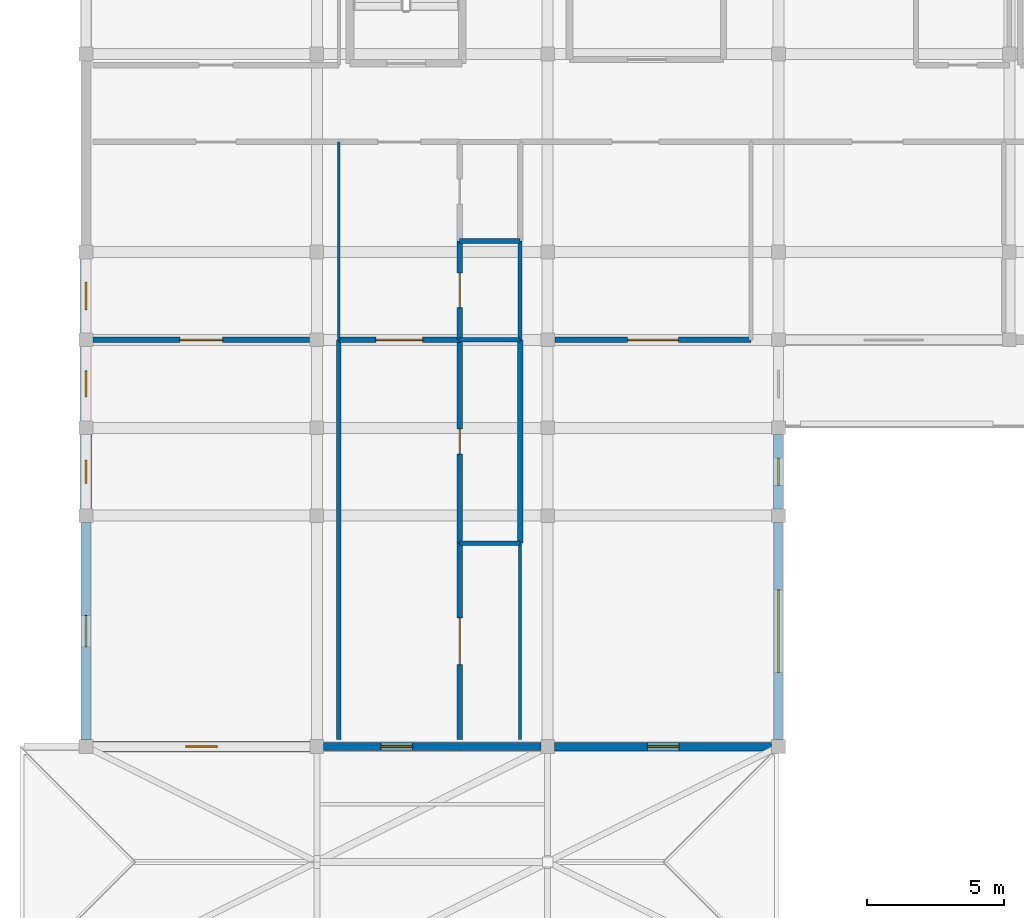
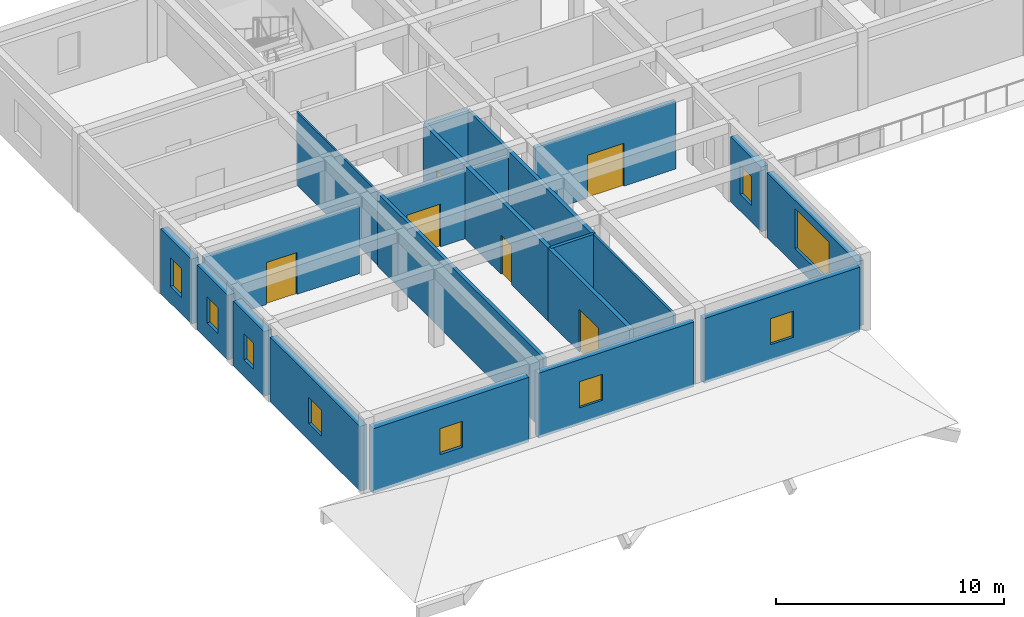
# One storey, part 10 of 26: 23 walls, 9 windows, 6 doors, 15 openings.
"""IFC4 building model written with IfcOpenShell, lengths in metres."""

from ifc_helpers import new_model, si_unit, direction, frame, frame_2d, origin, place, context, subcontext, project, spatial, rectangle, extrude, material, layer, layer_set, type_object, element, fill, save


model = new_model("IFC4")

# Units and contexts
model_context = context("Model", 3, precision=1e-05, world=origin(), true_north=direction((0.0, 1.0)))
body_context = subcontext(model_context, "Body", "Model", "MODEL_VIEW")
ifc_project = project(units=[si_unit("LENGTHUNIT", "METRE"), si_unit("AREAUNIT", "SQUARE_METRE"), si_unit("VOLUMEUNIT", "CUBIC_METRE"), si_unit("PLANEANGLEUNIT", "RADIAN"), si_unit("MASSUNIT", "GRAM", prefix="KILO")], contexts=[model_context])

# Site, building, storey
site_placement = place(None, origin())
site = spatial("IfcSite", under=ifc_project, at=site_placement, CompositionType="ELEMENT")
building_placement = place(site_placement, origin())
building = spatial("IfcBuilding", under=site, at=building_placement, Name="Varncliffe General Hospital", CompositionType="ELEMENT")
storey_placement = place(building_placement, frame((0.0, 0.0, 28.800048828125)))
storey = spatial("IfcBuildingStorey", under=building, at=storey_placement, Name="L06", CompositionType="ELEMENT", Elevation=28.800048828125)

# Wall, opening, window
ifc_material_1 = material(Name="Precast concrete C40/50 with insulated cream lime-cement stucco", Category="concrete")
ifc_layer_1 = layer(ifc_material_1, 0.31005859375)
ifc_layer_set_1 = layer_set([ifc_layer_1], Name="Precast concrete C40/50 with insulated cream lime-cement stucco")
wall_type_1 = type_object("IfcWallType", Name="Exterior Insulated Stucco Wall EW20 (310mm)", PredefinedType="SOLIDWALL", material=ifc_layer_set_1)
wall_1_placement = place(storey_placement, frame((24.951904296875, 91.199951171875, 0.0), z_axis=(0.0, 0.0, 1.0), x_axis=(-1.0, 0.0, 0.0)))
wall_1 = element("IfcWall", 1, at=wall_1_placement, inside=storey, type_object=wall_type_1, Name="L06 Exterior Stucco Wall EW20-503", PredefinedType="SOLIDWALL", context=body_context, shape_type="SweptSolid", body=[
    extrude(rectangle(XDim=7.90380859375, YDim=0.31005859375, at=frame_2d((3.951904296875, 0.0))), origin(), (0.0, 0.0, 1.0), 3.47998046875),
])
opening_1_placement = place(wall_1_placement, frame((3.376953125, 0.0, 0.89990234375)))
opening_1 = element("IfcOpeningElement", 2, at=opening_1_placement, cuts=wall_1, Name="Opening WN62", PredefinedType="OPENING", context=body_context, shape_type="SweptSolid", body=[
    extrude(rectangle(XDim=1.14990234375, YDim=1.39990234375, at=frame_2d((0.574951171875, 0.699951171875))), frame((0.0, 0.1650390625, 0.0), z_axis=(0.0, -1.0, 0.0), x_axis=(1.0, 0.0, 0.0)), (0.0, 0.0, 1.0), 0.330078125),
])
ifc_material_2 = material(Name="Triple low-E argon insulated vision glazing", Category="glass")
window_type_1 = type_object("IfcWindowType", Name="Triple-Glazed Hospital Window WN62 (1150x1400)", PartitioningType="SINGLE_PANEL", PredefinedType="WINDOW", material=ifc_material_2)
window_1_placement = place(opening_1_placement, origin())
window_1 = element("IfcWindow", 3, at=window_1_placement, inside=storey, type_object=window_type_1, Name="L06 Hospital Window WN62-393", OverallHeight=1.39990234375, OverallWidth=1.14990234375, PartitioningType="SINGLE_PANEL", PredefinedType="WINDOW", context=body_context, shape_type="SweptSolid", body=[
    extrude(rectangle(XDim=1.14990234375, YDim=1.39990234375, at=frame_2d((0.574951171875, 0.699951171875))), frame((0.0, 0.030029296875, 0.0), z_axis=(0.0, -1.0, 0.0), x_axis=(1.0, 0.0, 0.0)), (0.0, 0.0, 1.0), 0.06005859375),
])
fill(opening_1, window_1)

ifc_layer_2 = layer(ifc_material_1, 0.3798828125)
ifc_layer_set_2 = layer_set([ifc_layer_2], Name="Precast concrete C40/50 with insulated cream lime-cement stucco")
wall_type_2 = type_object("IfcWallType", Name="Exterior Insulated Stucco Wall EW26 (380mm)", PredefinedType="SOLIDWALL", material=ifc_layer_set_2)
wall_2_placement = place(storey_placement, frame((0.0, 106.248046875, 0.0), z_axis=(0.0, 0.0, 1.0), x_axis=(0.0, 1.0, 0.0)))
wall_2 = element("IfcWall", 4, at=wall_2_placement, inside=storey, type_object=wall_type_2, Name="L06 Exterior Stucco Wall EW26-481", PredefinedType="SOLIDWALL", context=body_context, shape_type="SweptSolid", body=[
    extrude(rectangle(XDim=2.703857421875, YDim=0.3798828125, at=frame_2d((1.35205078125, 0.0))), origin(), (0.0, 0.0, 1.0), 3.47998046875),
])
opening_2_placement = place(wall_2_placement, frame((0.85205078125, 0.0, 0.89990234375)))
opening_2 = element("IfcOpeningElement", 5, at=opening_2_placement, cuts=wall_2, Name="Opening WN21", PredefinedType="OPENING", context=body_context, shape_type="SweptSolid", body=[
    extrude(rectangle(XDim=1.0, YDim=1.550048828125, at=frame_2d((0.5, 0.77490234375))), frame((0.0, 0.199951171875, 0.0), z_axis=(0.0, -1.0, 0.0), x_axis=(1.0, 0.0, 0.0)), (0.0, 0.0, 1.0), 0.39990234375),
])
window_type_2 = type_object("IfcWindowType", Name="Triple-Glazed Hospital Window WN21 (1000x1550)", PartitioningType="SINGLE_PANEL", PredefinedType="WINDOW", material=ifc_material_2)
window_2_placement = place(opening_2_placement, origin())
window_2 = element("IfcWindow", 6, at=window_2_placement, inside=storey, type_object=window_type_2, Name="L06 Hospital Window WN21-374", OverallHeight=1.550048828125, OverallWidth=1.0, PartitioningType="SINGLE_PANEL", PredefinedType="WINDOW", context=body_context, shape_type="SweptSolid", body=[
    extrude(rectangle(XDim=1.0, YDim=1.550048828125, at=frame_2d((0.5, 0.77490234375))), frame((0.0, 0.030029296875, 0.0), z_axis=(0.0, -1.0, 0.0), x_axis=(1.0, 0.0, 0.0)), (0.0, 0.0, 1.0), 0.06005859375),
])
fill(opening_2, window_2)

wall_3_placement = place(storey_placement, frame((8.152099609375, 91.199951171875, 0.0), z_axis=(0.0, 0.0, 1.0), x_axis=(-1.0, 0.0, 0.0)))
wall_3 = element("IfcWall", 7, at=wall_3_placement, inside=storey, type_object=wall_type_2, Name="L06 Exterior Stucco Wall EW26-505", PredefinedType="SOLIDWALL", context=body_context, shape_type="SweptSolid", body=[
    extrude(rectangle(XDim=7.904052734375, YDim=0.3798828125, at=frame_2d((3.9521484375, 0.0))), origin(), (0.0, 0.0, 1.0), 3.47998046875),
])
opening_3_placement = place(wall_3_placement, frame((3.376953125, 0.0, 0.89990234375)))
opening_3 = element("IfcOpeningElement", 8, at=opening_3_placement, cuts=wall_3, Name="Opening WN62", PredefinedType="OPENING", context=body_context, shape_type="SweptSolid", body=[
    extrude(rectangle(XDim=1.14990234375, YDim=1.39990234375, at=frame_2d((0.574951171875, 0.699951171875))), frame((0.0, 0.199951171875, 0.0), z_axis=(0.0, -1.0, 0.0), x_axis=(1.0, 0.0, 0.0)), (0.0, 0.0, 1.0), 0.39990234375),
])
window_3_placement = place(opening_3_placement, origin())
window_3 = element("IfcWindow", 9, at=window_3_placement, inside=storey, type_object=window_type_1, Name="L06 Hospital Window WN62-395", OverallHeight=1.39990234375, OverallWidth=1.14990234375, PartitioningType="SINGLE_PANEL", PredefinedType="WINDOW", context=body_context, shape_type="SweptSolid", body=[
    extrude(rectangle(XDim=1.14990234375, YDim=1.39990234375, at=frame_2d((0.574951171875, 0.699951171875))), frame((0.0, 0.030029296875, 0.0), z_axis=(0.0, -1.0, 0.0), x_axis=(1.0, 0.0, 0.0)), (0.0, 0.0, 1.0), 0.06005859375),
])
fill(opening_3, window_3)

wall_4_placement = place(storey_placement, frame((0.0, 103.048095703125, 0.0), z_axis=(0.0, 0.0, 1.0), x_axis=(0.0, 1.0, 0.0)))
wall_4 = element("IfcWall", 10, at=wall_4_placement, inside=storey, type_object=wall_type_2, Name="L06 Exterior Stucco Wall EW26-508", PredefinedType="SOLIDWALL", context=body_context, shape_type="SweptSolid", body=[
    extrude(rectangle(XDim=2.703857421875, YDim=0.3798828125, at=frame_2d((1.35205078125, 0.0))), origin(), (0.0, 0.0, 1.0), 3.47998046875),
])
opening_4_placement = place(wall_4_placement, frame((0.876953125, 0.0, 0.89990234375)))
opening_4 = element("IfcOpeningElement", 11, at=opening_4_placement, cuts=wall_4, Name="Opening WN39", PredefinedType="OPENING", context=body_context, shape_type="SweptSolid", body=[
    extrude(rectangle(XDim=0.949951171875, YDim=1.39990234375, at=frame_2d((0.47509765625, 0.699951171875))), frame((0.0, 0.199951171875, 0.0), z_axis=(0.0, -1.0, 0.0), x_axis=(1.0, 0.0, 0.0)), (0.0, 0.0, 1.0), 0.39990234375),
])
window_type_3 = type_object("IfcWindowType", Name="Triple-Glazed Hospital Window WN39 (950x1400)", PartitioningType="SINGLE_PANEL", PredefinedType="WINDOW", material=ifc_material_2)
window_4_placement = place(opening_4_placement, origin())
window_4 = element("IfcWindow", 12, at=window_4_placement, inside=storey, type_object=window_type_3, Name="L06 Hospital Window WN39-398", OverallHeight=1.39990234375, OverallWidth=0.949951171875, PartitioningType="SINGLE_PANEL", PredefinedType="WINDOW", context=body_context, shape_type="SweptSolid", body=[
    extrude(rectangle(XDim=0.949951171875, YDim=1.39990234375, at=frame_2d((0.47509765625, 0.699951171875))), frame((0.0, 0.030029296875, 0.0), z_axis=(0.0, -1.0, 0.0), x_axis=(1.0, 0.0, 0.0)), (0.0, 0.0, 1.0), 0.06005859375),
])
fill(opening_4, window_4)

ifc_layer_3 = layer(ifc_material_1, 0.2900390625)
ifc_layer_set_3 = layer_set([ifc_layer_3], Name="Precast concrete C40/50 with insulated cream lime-cement stucco")
wall_type_3 = type_object("IfcWallType", Name="Exterior Insulated Stucco Wall EW31 (290mm)", PredefinedType="SOLIDWALL", material=ifc_layer_set_3)
wall_5_placement = place(storey_placement, frame((16.552001953125, 91.199951171875, 0.0), z_axis=(0.0, 0.0, 1.0), x_axis=(-1.0, 0.0, 0.0)))
wall_5 = element("IfcWall", 13, at=wall_5_placement, inside=storey, type_object=wall_type_3, Name="L06 Exterior Stucco Wall EW31-504", PredefinedType="SOLIDWALL", context=body_context, shape_type="SweptSolid", body=[
    extrude(rectangle(XDim=7.904052734375, YDim=0.2900390625, at=frame_2d((3.9521484375, 0.0))), origin(), (0.0, 0.0, 1.0), 3.47998046875),
])
opening_5_placement = place(wall_5_placement, frame((4.664794921875, 0.0, 0.89990234375)))
opening_5 = element("IfcOpeningElement", 14, at=opening_5_placement, cuts=wall_5, Name="Opening WN62", PredefinedType="OPENING", context=body_context, shape_type="SweptSolid", body=[
    extrude(rectangle(XDim=1.14990234375, YDim=1.39990234375, at=frame_2d((0.574951171875, 0.699951171875))), frame((0.0, 0.155029296875, 0.0), z_axis=(0.0, -1.0, 0.0), x_axis=(1.0, 0.0, 0.0)), (0.0, 0.0, 1.0), 0.31005859375),
])
window_5_placement = place(opening_5_placement, origin())
window_5 = element("IfcWindow", 15, at=window_5_placement, inside=storey, type_object=window_type_1, Name="L06 Hospital Window WN62-394", OverallHeight=1.39990234375, OverallWidth=1.14990234375, PartitioningType="SINGLE_PANEL", PredefinedType="WINDOW", context=body_context, shape_type="SweptSolid", body=[
    extrude(rectangle(XDim=1.14990234375, YDim=1.39990234375, at=frame_2d((0.574951171875, 0.699951171875))), frame((0.0, 0.030029296875, 0.0), z_axis=(0.0, -1.0, 0.0), x_axis=(1.0, 0.0, 0.0)), (0.0, 0.0, 1.0), 0.06005859375),
])
fill(opening_5, window_5)

ifc_layer_4 = layer(ifc_material_1, 0.330078125)
ifc_layer_set_4 = layer_set([ifc_layer_4], Name="Precast concrete C40/50 with insulated cream lime-cement stucco")
wall_type_4 = type_object("IfcWallType", Name="Exterior Insulated Stucco Wall EW33 (330mm)", PredefinedType="SOLIDWALL", material=ifc_layer_set_4)
wall_6_placement = place(storey_placement, frame((25.199951171875, 99.35205078125, 0.0), z_axis=(0.0, 0.0, 1.0), x_axis=(0.0, -1.0, 0.0)))
wall_6 = element("IfcWall", 16, at=wall_6_placement, inside=storey, type_object=wall_type_4, Name="L06 Exterior Stucco Wall EW33-502", PredefinedType="SOLIDWALL", context=body_context, shape_type="SweptSolid", body=[
    extrude(rectangle(XDim=7.904052734375, YDim=0.330078125, at=frame_2d((3.9521484375, 0.0))), origin(), (0.0, 0.0, 1.0), 3.47998046875),
])
opening_6_placement = place(wall_6_placement, frame((2.451904296875, 0.0, 0.89990234375)))
opening_6 = element("IfcOpeningElement", 17, at=opening_6_placement, cuts=wall_6, Name="Opening WN37", PredefinedType="OPENING", context=body_context, shape_type="SweptSolid", body=[
    extrude(rectangle(XDim=3.0, YDim=2.14990234375, at=frame_2d((1.5, 1.074951171875))), frame((0.0, 0.175048828125, 0.0), z_axis=(0.0, -1.0, 0.0), x_axis=(1.0, 0.0, 0.0)), (0.0, 0.0, 1.0), 0.35009765625),
])
window_type_4 = type_object("IfcWindowType", Name="Triple-Glazed Hospital Window WN37 (3000x2150)", PartitioningType="DOUBLE_PANEL_VERTICAL", PredefinedType="WINDOW", material=ifc_material_2)
window_6_placement = place(opening_6_placement, origin())
window_6 = element("IfcWindow", 18, at=window_6_placement, inside=storey, type_object=window_type_4, Name="L06 Hospital Window WN37-392", OverallHeight=2.14990234375, OverallWidth=3.0, PartitioningType="DOUBLE_PANEL_VERTICAL", PredefinedType="WINDOW", context=body_context, shape_type="SweptSolid", body=[
    extrude(rectangle(XDim=3.0, YDim=2.14990234375, at=frame_2d((1.5, 1.074951171875))), frame((0.0, 0.030029296875, 0.0), z_axis=(0.0, -1.0, 0.0), x_axis=(1.0, 0.0, 0.0)), (0.0, 0.0, 1.0), 0.06005859375),
])
fill(opening_6, window_6)

ifc_layer_5 = layer(ifc_material_1, 0.35009765625)
ifc_layer_set_5 = layer_set([ifc_layer_5], Name="Precast concrete C40/50 with insulated cream lime-cement stucco")
wall_type_5 = type_object("IfcWallType", Name="Exterior Insulated Stucco Wall EW37 (350mm)", PredefinedType="SOLIDWALL", material=ifc_layer_set_5)
wall_7_placement = place(storey_placement, frame((25.199951171875, 102.552001953125, 0.0), z_axis=(0.0, 0.0, 1.0), x_axis=(0.0, -1.0, 0.0)))
wall_7 = element("IfcWall", 19, at=wall_7_placement, inside=storey, type_object=wall_type_5, Name="L06 Exterior Stucco Wall EW37-501", PredefinedType="SOLIDWALL", context=body_context, shape_type="SweptSolid", body=[
    extrude(rectangle(XDim=2.7041015625, YDim=0.35009765625, at=frame_2d((1.35205078125, 0.0))), origin(), (0.0, 0.0, 1.0), 3.47998046875),
])
opening_7_placement = place(wall_7_placement, frame((0.85205078125, 0.0, 0.89990234375)))
opening_7 = element("IfcOpeningElement", 20, at=opening_7_placement, cuts=wall_7, Name="Opening WN21", PredefinedType="OPENING", context=body_context, shape_type="SweptSolid", body=[
    extrude(rectangle(XDim=1.0, YDim=1.550048828125, at=frame_2d((0.5, 0.77490234375))), frame((0.0, 0.18505859375, 0.0), z_axis=(0.0, -1.0, 0.0), x_axis=(1.0, 0.0, 0.0)), (0.0, 0.0, 1.0), 0.3701171875),
])
window_7_placement = place(opening_7_placement, origin())
window_7 = element("IfcWindow", 21, at=window_7_placement, inside=storey, type_object=window_type_2, Name="L06 Hospital Window WN21-391", OverallHeight=1.550048828125, OverallWidth=1.0, PartitioningType="SINGLE_PANEL", PredefinedType="WINDOW", context=body_context, shape_type="SweptSolid", body=[
    extrude(rectangle(XDim=1.0, YDim=1.550048828125, at=frame_2d((0.5, 0.77490234375))), frame((0.0, 0.030029296875, 0.0), z_axis=(0.0, -1.0, 0.0), x_axis=(1.0, 0.0, 0.0)), (0.0, 0.0, 1.0), 0.06005859375),
])
fill(opening_7, window_7)

wall_8_placement = place(storey_placement, frame((0.0, 91.447998046875, 0.0), z_axis=(0.0, 0.0, 1.0), x_axis=(0.0, 1.0, 0.0)))
wall_8 = element("IfcWall", 22, at=wall_8_placement, inside=storey, type_object=wall_type_5, Name="L06 Exterior Stucco Wall EW37-506", PredefinedType="SOLIDWALL", context=body_context, shape_type="SweptSolid", body=[
    extrude(rectangle(XDim=7.904052734375, YDim=0.35009765625, at=frame_2d((3.9521484375, 0.0))), origin(), (0.0, 0.0, 1.0), 3.47998046875),
])
opening_8_placement = place(wall_8_placement, frame((3.376953125, 0.0, 0.89990234375)))
opening_8 = element("IfcOpeningElement", 23, at=opening_8_placement, cuts=wall_8, Name="Opening WN62", PredefinedType="OPENING", context=body_context, shape_type="SweptSolid", body=[
    extrude(rectangle(XDim=1.14990234375, YDim=1.39990234375, at=frame_2d((0.574951171875, 0.699951171875))), frame((0.0, 0.18505859375, 0.0), z_axis=(0.0, -1.0, 0.0), x_axis=(1.0, 0.0, 0.0)), (0.0, 0.0, 1.0), 0.3701171875),
])
window_8_placement = place(opening_8_placement, origin())
window_8 = element("IfcWindow", 24, at=window_8_placement, inside=storey, type_object=window_type_1, Name="L06 Hospital Window WN62-396", OverallHeight=1.39990234375, OverallWidth=1.14990234375, PartitioningType="SINGLE_PANEL", PredefinedType="WINDOW", context=body_context, shape_type="SweptSolid", body=[
    extrude(rectangle(XDim=1.14990234375, YDim=1.39990234375, at=frame_2d((0.574951171875, 0.699951171875))), frame((0.0, 0.030029296875, 0.0), z_axis=(0.0, -1.0, 0.0), x_axis=(1.0, 0.0, 0.0)), (0.0, 0.0, 1.0), 0.06005859375),
])
fill(opening_8, window_8)

ifc_layer_6 = layer(ifc_material_1, 0.39990234375)
ifc_layer_set_6 = layer_set([ifc_layer_6], Name="Precast concrete C40/50 with insulated cream lime-cement stucco")
wall_type_6 = type_object("IfcWallType", Name="Exterior Insulated Stucco Wall EW47 (400mm)", PredefinedType="SOLIDWALL", material=ifc_layer_set_6)
wall_9_placement = place(storey_placement, frame((0.0, 99.847900390625, 0.0), z_axis=(0.0, 0.0, 1.0), x_axis=(0.0, 1.0, 0.0)))
wall_9 = element("IfcWall", 25, at=wall_9_placement, inside=storey, type_object=wall_type_6, Name="L06 Exterior Stucco Wall EW47-507", PredefinedType="SOLIDWALL", context=body_context, shape_type="SweptSolid", body=[
    extrude(rectangle(XDim=2.7041015625, YDim=0.39990234375, at=frame_2d((1.35205078125, 0.0))), origin(), (0.0, 0.0, 1.0), 3.47998046875),
])
opening_9_placement = place(wall_9_placement, frame((0.927001953125, 0.0, 0.89990234375)))
opening_9 = element("IfcOpeningElement", 26, at=opening_9_placement, cuts=wall_9, Name="Opening WN77", PredefinedType="OPENING", context=body_context, shape_type="SweptSolid", body=[
    extrude(rectangle(XDim=0.85009765625, YDim=1.39990234375, at=frame_2d((0.425048828125, 0.699951171875))), frame((0.0, 0.2099609375, 0.0), z_axis=(0.0, -1.0, 0.0), x_axis=(1.0, 0.0, 0.0)), (0.0, 0.0, 1.0), 0.419921875),
])
window_type_5 = type_object("IfcWindowType", Name="Triple-Glazed Hospital Window WN77 (850x1400)", PartitioningType="SINGLE_PANEL", PredefinedType="WINDOW", material=ifc_material_2)
window_9_placement = place(opening_9_placement, origin())
window_9 = element("IfcWindow", 27, at=window_9_placement, inside=storey, type_object=window_type_5, Name="L06 Hospital Window WN77-397", OverallHeight=1.39990234375, OverallWidth=0.85009765625, PartitioningType="SINGLE_PANEL", PredefinedType="WINDOW", context=body_context, shape_type="SweptSolid", body=[
    extrude(rectangle(XDim=0.85009765625, YDim=1.39990234375, at=frame_2d((0.425048828125, 0.699951171875))), frame((0.0, 0.030029296875, 0.0), z_axis=(0.0, -1.0, 0.0), x_axis=(1.0, 0.0, 0.0)), (0.0, 0.0, 1.0), 0.06005859375),
])
fill(opening_9, window_9)

# Walls
ifc_material_3 = material(Name="Acoustic clinical gypsum stud partition assembly", Category="gypsum")
ifc_layer_7 = layer(ifc_material_3, 0.169921875)
ifc_layer_set_7 = layer_set([ifc_layer_7], Name="Acoustic clinical gypsum stud partition assembly")
wall_type_7 = type_object("IfcWallType", Name="Interior Partitioning IW20 (170mm)", PredefinedType="PARTITIONING", material=ifc_layer_set_7)
wall_10_placement = place(storey_placement, frame((9.199951171875, 91.4599609375, 0.0), z_axis=(0.0, 0.0, 1.0), x_axis=(0.0, 1.0, 0.0)))
element("IfcWall", 28, at=wall_10_placement, inside=storey, type_object=wall_type_7, Name="L06 Interior Partition Wall IW20-2260", PredefinedType="PARTITIONING", context=body_context, shape_type="SweptSolid", body=[
    extrude(rectangle(XDim=14.5400390625, YDim=0.169921875, at=frame_2d((7.27001953125, 0.0))), origin(), (0.0, 0.0, 1.0), 3.919921875),
])
ifc_layer_8 = layer(ifc_material_3, 0.14990234375)
ifc_layer_set_8 = layer_set([ifc_layer_8], Name="Acoustic clinical gypsum stud partition assembly")
wall_type_8 = type_object("IfcWallType", Name="Interior Partitioning IW35 (150mm)", PredefinedType="PARTITIONING", material=ifc_layer_set_8)
wall_11_placement = place(storey_placement, frame((15.800048828125, 106.0, 0.0), z_axis=(0.0, 0.0, 1.0), x_axis=(0.0, 1.0, 0.0)))
element("IfcWall", 29, at=wall_11_placement, inside=storey, type_object=wall_type_8, Name="L06 Interior Partition Wall IW35-2269", PredefinedType="PARTITIONING", context=body_context, shape_type="SweptSolid", body=[
    extrude(rectangle(XDim=3.60009765625, YDim=0.14990234375, at=frame_2d((1.800048828125, 0.0))), origin(), (0.0, 0.0, 1.0), 3.919921875),
])
ifc_layer_9 = layer(ifc_material_3, 0.090087890625)
ifc_layer_set_9 = layer_set([ifc_layer_9], Name="Acoustic clinical gypsum stud partition assembly")
wall_type_9 = type_object("IfcWallType", Name="Interior Partitioning IW42 (90mm)", PredefinedType="PARTITIONING", material=ifc_layer_set_9)
wall_12_placement = place(storey_placement, frame((9.199951171875, 106.0, 0.0), z_axis=(0.0, 0.0, 1.0), x_axis=(0.0, 1.0, 0.0)))
element("IfcWall", 30, at=wall_12_placement, inside=storey, type_object=wall_type_9, Name="L06 Interior Partition Wall IW42-2261", PredefinedType="PARTITIONING", context=body_context, shape_type="SweptSolid", body=[
    extrude(rectangle(XDim=7.199951171875, YDim=0.090087890625, at=frame_2d((3.60009765625, 0.0))), origin(), (0.0, 0.0, 1.0), 3.919921875),
])
ifc_layer_10 = layer(ifc_material_3, 0.110107421875)
ifc_layer_set_10 = layer_set([ifc_layer_10], Name="Acoustic clinical gypsum stud partition assembly")
wall_type_10 = type_object("IfcWallType", Name="Interior Partitioning IW65 (110mm)", PredefinedType="PARTITIONING", material=ifc_layer_set_10)
wall_13_placement = place(storey_placement, frame((15.800048828125, 91.4599609375, 0.0), z_axis=(0.0, 0.0, 1.0), x_axis=(0.0, 1.0, 0.0)))
element("IfcWall", 31, at=wall_13_placement, inside=storey, type_object=wall_type_10, Name="L06 Interior Partition Wall IW65-2267", PredefinedType="PARTITIONING", context=body_context, shape_type="SweptSolid", body=[
    extrude(rectangle(XDim=7.14013671875, YDim=0.110107421875, at=frame_2d((3.570068359375, 0.0))), origin(), (0.0, 0.0, 1.0), 3.919921875),
])

# Wall, opening, door
ifc_material_4 = material(Name="Fire-rated gypsum and mineral-wool partition assembly", Category="gypsum")
ifc_layer_11 = layer(ifc_material_4, 0.199951171875)
ifc_layer_set_11 = layer_set([ifc_layer_11], Name="Fire-rated gypsum and mineral-wool partition assembly")
wall_type_11 = type_object("IfcWallType", Name="Interior Partitioning PW63 (200mm)", PredefinedType="PARTITIONING", material=ifc_layer_set_11)
wall_14_placement = place(storey_placement, frame((0.264892578125, 106.0, 0.0), z_axis=(0.0, 0.0, 1.0), x_axis=(1.0, 0.0, 0.0)))
wall_14 = element("IfcWall", 32, at=wall_14_placement, inside=storey, type_object=wall_type_11, Name="L06 Interior Partition Wall PW63-2195", PredefinedType="PARTITIONING", context=body_context, shape_type="SweptSolid", body=[
    extrude(rectangle(XDim=7.8701171875, YDim=0.199951171875, at=frame_2d((3.93505859375, 0.0))), origin(), (0.0, 0.0, 1.0), 3.635009765625),
])
opening_10_placement = place(wall_14_placement, frame((3.159912109375, 0.0, 0.0)))
opening_10 = element("IfcOpeningElement", 33, at=opening_10_placement, cuts=wall_14, Name="Opening DC67", PredefinedType="OPENING", context=body_context, shape_type="SweptSolid", body=[
    extrude(rectangle(XDim=1.550048828125, YDim=2.25, at=frame_2d((0.77490234375, 1.125))), frame((0.0, 0.10986328125, 0.0), z_axis=(0.0, -1.0, 0.0), x_axis=(1.0, 0.0, 0.0)), (0.0, 0.0, 1.0), 0.219970703125),
])
ifc_material_5 = material(Name="Fire-rated hospital steel-frame vision-panel door", Category="steel")
door_type_1 = type_object("IfcDoorType", Name="Interior Hospital Door DC67 (1550x2250)", OperationType="NOTDEFINED", PredefinedType="DOOR", material=ifc_material_5)
door_1_placement = place(opening_10_placement, frame((1.550048828125, 0.0, 0.0), z_axis=(0.0, 0.0, 1.0), x_axis=(-1.0, 0.0, 0.0)))
door_1 = element("IfcDoor", 34, at=door_1_placement, inside=storey, type_object=door_type_1, Name="L06 Neonatal Intensive Care Nursery NICU 54 Door", OperationType="SINGLE_SWING_LEFT", OverallHeight=2.25, OverallWidth=1.550048828125, PredefinedType="DOOR", context=body_context, shape_type="SweptSolid", body=[
    extrude(rectangle(XDim=1.550048828125, YDim=2.25, at=frame_2d((0.77490234375, 1.125))), frame((0.0, 0.02490234375, 0.0), z_axis=(0.0, -1.0, 0.0), x_axis=(1.0, 0.0, 0.0)), (0.0, 0.0, 1.0), 0.050048828125),
])
fill(opening_10, door_1)

wall_15_placement = place(storey_placement, frame((9.199951171875, 106.0, 0.0), z_axis=(0.0, 0.0, 1.0), x_axis=(1.0, 0.0, 0.0)))
wall_15 = element("IfcWall", 35, at=wall_15_placement, inside=storey, type_object=wall_type_11, Name="L06 Interior Partition Wall PW63-2196", PredefinedType="PARTITIONING", context=body_context, shape_type="SweptSolid", body=[
    extrude(rectangle(XDim=4.400146484375, YDim=0.199951171875, at=frame_2d((2.2001953125, 0.0))), origin(), (0.0, 0.0, 1.0), 3.635009765625),
])
opening_11_placement = place(wall_15_placement, frame((1.35009765625, 0.0, 0.0)))
opening_11 = element("IfcOpeningElement", 36, at=opening_11_placement, cuts=wall_15, Name="Opening DC50", PredefinedType="OPENING", context=body_context, shape_type="SweptSolid", body=[
    extrude(rectangle(XDim=1.699951171875, YDim=2.300048828125, at=frame_2d((0.85009765625, 1.14990234375))), frame((0.0, 0.10986328125, 0.0), z_axis=(0.0, -1.0, 0.0), x_axis=(1.0, 0.0, 0.0)), (0.0, 0.0, 1.0), 0.219970703125),
])
door_type_2 = type_object("IfcDoorType", Name="Interior Hospital Door DC50 (1700x2300)", OperationType="NOTDEFINED", PredefinedType="DOOR", material=ifc_material_5)
door_2_placement = place(opening_11_placement, frame((1.699951171875, 0.0, 0.0), z_axis=(0.0, 0.0, 1.0), x_axis=(-1.0, 0.0, 0.0)))
door_2 = element("IfcDoor", 37, at=door_2_placement, inside=storey, type_object=door_type_2, Name="L06 Paediatric Inpatient Bedroom 55 Door", OperationType="SINGLE_SWING_RIGHT", OverallHeight=2.300048828125, OverallWidth=1.699951171875, PredefinedType="DOOR", context=body_context, shape_type="SweptSolid", body=[
    extrude(rectangle(XDim=1.699951171875, YDim=2.300048828125, at=frame_2d((0.85009765625, 1.14990234375))), frame((0.0, 0.02490234375, 0.0), z_axis=(0.0, -1.0, 0.0), x_axis=(1.0, 0.0, 0.0)), (0.0, 0.0, 1.0), 0.050048828125),
])
fill(opening_11, door_2)

wall_16_placement = place(storey_placement, frame((17.06494140625, 106.0, 0.0), z_axis=(0.0, 0.0, 1.0), x_axis=(1.0, 0.0, 0.0)))
wall_16 = element("IfcWall", 38, at=wall_16_placement, inside=storey, type_object=wall_type_11, Name="L06 Interior Partition Wall PW63-2198", PredefinedType="PARTITIONING", context=body_context, shape_type="SweptSolid", body=[
    extrude(rectangle(XDim=7.135009765625, YDim=0.199951171875, at=frame_2d((3.5673828125, 0.0))), origin(), (0.0, 0.0, 1.0), 3.635009765625),
])
opening_12_placement = place(wall_16_placement, frame((2.642578125, 0.0, 0.0)))
opening_12 = element("IfcOpeningElement", 39, at=opening_12_placement, cuts=wall_16, Name="Opening DC38", PredefinedType="OPENING", context=body_context, shape_type="SweptSolid", body=[
    extrude(rectangle(XDim=1.85009765625, YDim=2.300048828125, at=frame_2d((0.925048828125, 1.14990234375))), frame((0.0, 0.10986328125, 0.0), z_axis=(0.0, -1.0, 0.0), x_axis=(1.0, 0.0, 0.0)), (0.0, 0.0, 1.0), 0.219970703125),
])
door_type_3 = type_object("IfcDoorType", Name="Interior Hospital Door DC38 (1850x2300)", OperationType="NOTDEFINED", PredefinedType="DOOR", material=ifc_material_5)
door_3_placement = place(opening_12_placement, frame((1.85009765625, 0.0, 0.0), z_axis=(0.0, 0.0, 1.0), x_axis=(-1.0, 0.0, 0.0)))
door_3 = element("IfcDoor", 40, at=door_3_placement, inside=storey, type_object=door_type_3, Name="L06 Paediatric Playroom and Daylight Lounge 58 Door", OperationType="SINGLE_SWING_LEFT", OverallHeight=2.300048828125, OverallWidth=1.85009765625, PredefinedType="DOOR", context=body_context, shape_type="SweptSolid", body=[
    extrude(rectangle(XDim=1.85009765625, YDim=2.300048828125, at=frame_2d((0.925048828125, 1.14990234375))), frame((0.0, 0.02490234375, 0.0), z_axis=(0.0, -1.0, 0.0), x_axis=(1.0, 0.0, 0.0)), (0.0, 0.0, 1.0), 0.050048828125),
])
fill(opening_12, door_3)

wall_17_placement = place(storey_placement, frame((13.60009765625, 91.4599609375, 0.0), z_axis=(0.0, 0.0, 1.0), x_axis=(0.0, 1.0, 0.0)))
wall_17 = element("IfcWall", 41, at=wall_17_placement, inside=storey, type_object=wall_type_11, Name="L06 Interior Partition Wall PW63-2263", PredefinedType="PARTITIONING", context=body_context, shape_type="SweptSolid", body=[
    extrude(rectangle(XDim=7.14013671875, YDim=0.199951171875, at=frame_2d((3.570068359375, 0.0))), origin(), (0.0, 0.0, 1.0), 3.919921875),
])
opening_13_placement = place(wall_17_placement, frame((2.719970703125, 0.0, 0.0)))
opening_13 = element("IfcOpeningElement", 42, at=opening_13_placement, cuts=wall_17, Name="Opening DC50", PredefinedType="OPENING", context=body_context, shape_type="SweptSolid", body=[
    extrude(rectangle(XDim=1.699951171875, YDim=2.300048828125, at=frame_2d((0.85009765625, 1.14990234375))), frame((0.0, 0.10986328125, 0.0), z_axis=(0.0, -1.0, 0.0), x_axis=(1.0, 0.0, 0.0)), (0.0, 0.0, 1.0), 0.219970703125),
])
door_4_placement = place(opening_13_placement, frame((1.699951171875, 0.0, 0.0), z_axis=(0.0, 0.0, 1.0), x_axis=(-1.0, 0.0, 0.0)))
door_4 = element("IfcDoor", 43, at=door_4_placement, inside=storey, type_object=door_type_2, Name="L06 Patient Medication and Hygiene Bay 57 Door", OperationType="SINGLE_SWING_LEFT", OverallHeight=2.300048828125, OverallWidth=1.699951171875, PredefinedType="DOOR", context=body_context, shape_type="SweptSolid", body=[
    extrude(rectangle(XDim=1.699951171875, YDim=2.300048828125, at=frame_2d((0.85009765625, 1.14990234375))), frame((0.0, 0.02490234375, 0.0), z_axis=(0.0, -1.0, 0.0), x_axis=(1.0, 0.0, 0.0)), (0.0, 0.0, 1.0), 0.050048828125),
])
fill(opening_13, door_4)

wall_18_placement = place(storey_placement, frame((13.60009765625, 98.60009765625, 0.0), z_axis=(0.0, 0.0, 1.0), x_axis=(0.0, 1.0, 0.0)))
wall_18 = element("IfcWall", 44, at=wall_18_placement, inside=storey, type_object=wall_type_11, Name="L06 Interior Partition Wall PW63-2264", PredefinedType="PARTITIONING", context=body_context, shape_type="SweptSolid", body=[
    extrude(rectangle(XDim=7.39990234375, YDim=0.199951171875, at=frame_2d((3.699951171875, 0.0))), origin(), (0.0, 0.0, 1.0), 3.919921875),
])
opening_14_placement = place(wall_18_placement, frame((3.239990234375, 0.0, 0.0)))
opening_14 = element("IfcOpeningElement", 45, at=opening_14_placement, cuts=wall_18, Name="Opening DI70", PredefinedType="OPENING", context=body_context, shape_type="SweptSolid", body=[
    extrude(rectangle(XDim=0.919921875, YDim=2.10009765625, at=frame_2d((0.4599609375, 1.050048828125))), frame((0.0, 0.10986328125, 0.0), z_axis=(0.0, -1.0, 0.0), x_axis=(1.0, 0.0, 0.0)), (0.0, 0.0, 1.0), 0.219970703125),
])
ifc_material_6 = material(Name="Solid-core antimicrobial hospital oak veneer door", Category="wood")
door_type_4 = type_object("IfcDoorType", Name="Interior Hospital Door DI70 (920x2100)", OperationType="NOTDEFINED", PredefinedType="DOOR", material=ifc_material_6)
door_5_placement = place(opening_14_placement, frame((0.919921875, 0.0, 0.0), z_axis=(0.0, 0.0, 1.0), x_axis=(-1.0, 0.0, 0.0)))
door_5 = element("IfcDoor", 46, at=door_5_placement, inside=storey, type_object=door_type_4, Name="L06 En-Suite Bathroom 56 Door", OperationType="SINGLE_SWING_RIGHT", OverallHeight=2.10009765625, OverallWidth=0.919921875, PredefinedType="DOOR", context=body_context, shape_type="SweptSolid", body=[
    extrude(rectangle(XDim=0.919921875, YDim=2.10009765625, at=frame_2d((0.4599609375, 1.050048828125))), frame((0.0, 0.02490234375, 0.0), z_axis=(0.0, -1.0, 0.0), x_axis=(1.0, 0.0, 0.0)), (0.0, 0.0, 1.0), 0.050048828125),
])
fill(opening_14, door_5)

wall_19_placement = place(storey_placement, frame((13.60009765625, 106.0, 0.0), z_axis=(0.0, 0.0, 1.0), x_axis=(0.0, 1.0, 0.0)))
wall_19 = element("IfcWall", 47, at=wall_19_placement, inside=storey, type_object=wall_type_11, Name="L06 Interior Partition Wall PW63-2265", PredefinedType="PARTITIONING", context=body_context, shape_type="SweptSolid", body=[
    extrude(rectangle(XDim=3.60009765625, YDim=0.199951171875, at=frame_2d((1.800048828125, 0.0))), origin(), (0.0, 0.0, 1.0), 3.919921875),
])
opening_15_placement = place(wall_19_placement, frame((1.175048828125, 0.0, 0.0)))
opening_15 = element("IfcOpeningElement", 48, at=opening_15_placement, cuts=wall_19, Name="Opening DC44", PredefinedType="OPENING", context=body_context, shape_type="SweptSolid", body=[
    extrude(rectangle(XDim=1.25, YDim=2.14990234375, at=frame_2d((0.625, 1.074951171875))), frame((0.0, 0.10986328125, 0.0), z_axis=(0.0, -1.0, 0.0), x_axis=(1.0, 0.0, 0.0)), (0.0, 0.0, 1.0), 0.219970703125),
])
door_type_5 = type_object("IfcDoorType", Name="Interior Hospital Door DC44 (1250x2150)", OperationType="NOTDEFINED", PredefinedType="DOOR", material=ifc_material_5)
door_6_placement = place(opening_15_placement, frame((1.25, 0.0, 0.0), z_axis=(0.0, 0.0, 1.0), x_axis=(-1.0, 0.0, 0.0)))
door_6 = element("IfcDoor", 49, at=door_6_placement, inside=storey, type_object=door_type_5, Name="L06 Patient Medication and Hygiene Bay 20 Door", OperationType="SINGLE_SWING_LEFT", OverallHeight=2.14990234375, OverallWidth=1.25, PredefinedType="DOOR", context=body_context, shape_type="SweptSolid", body=[
    extrude(rectangle(XDim=1.25, YDim=2.14990234375, at=frame_2d((0.625, 1.074951171875))), frame((0.0, 0.02490234375, 0.0), z_axis=(0.0, -1.0, 0.0), x_axis=(1.0, 0.0, 0.0)), (0.0, 0.0, 1.0), 0.050048828125),
])
fill(opening_15, door_6)

# Walls
ifc_material_7 = material(Name="Moisture-resistant plumbing chase wall assembly", Category="gypsum")
ifc_layer_12 = layer(ifc_material_7, 0.18994140625)
ifc_layer_set_12 = layer_set([ifc_layer_12], Name="Moisture-resistant plumbing chase wall assembly")
wall_type_12 = type_object("IfcWallType", Name="Interior Plumbingwall MW17 (190mm)", PredefinedType="PLUMBINGWALL", material=ifc_layer_set_12)
wall_20_placement = place(storey_placement, frame((13.60009765625, 109.60009765625, 0.0), z_axis=(0.0, 0.0, 1.0), x_axis=(1.0, 0.0, 0.0)))
element("IfcWall", 50, at=wall_20_placement, inside=storey, type_object=wall_type_12, Name="L06 Interior Plumbing Wall MW17-2206", PredefinedType="PLUMBINGWALL", context=body_context, shape_type="SweptSolid", body=[
    extrude(rectangle(XDim=2.199951171875, YDim=0.18994140625, at=frame_2d((1.10009765625, 0.0))), origin(), (0.0, 0.0, 1.0), 3.919921875),
])
wall_21_placement = place(storey_placement, frame((15.800048828125, 98.60009765625, 0.0), z_axis=(0.0, 0.0, 1.0), x_axis=(0.0, 1.0, 0.0)))
element("IfcWall", 51, at=wall_21_placement, inside=storey, type_object=wall_type_12, Name="L06 Interior Plumbing Wall MW17-2268", PredefinedType="PLUMBINGWALL", context=body_context, shape_type="SweptSolid", body=[
    extrude(rectangle(XDim=7.39990234375, YDim=0.18994140625, at=frame_2d((3.699951171875, 0.0))), origin(), (0.0, 0.0, 1.0), 3.919921875),
])
ifc_layer_13 = layer(ifc_material_7, 0.159912109375)
ifc_layer_set_13 = layer_set([ifc_layer_13], Name="Moisture-resistant plumbing chase wall assembly")
wall_type_13 = type_object("IfcWallType", Name="Interior Plumbingwall MW31 (160mm)", PredefinedType="PLUMBINGWALL", material=ifc_layer_set_13)
wall_22_placement = place(storey_placement, frame((13.60009765625, 98.60009765625, 0.0), z_axis=(0.0, 0.0, 1.0), x_axis=(1.0, 0.0, 0.0)))
element("IfcWall", 52, at=wall_22_placement, inside=storey, type_object=wall_type_13, Name="L06 Interior Plumbing Wall MW31-2193", PredefinedType="PLUMBINGWALL", context=body_context, shape_type="SweptSolid", body=[
    extrude(rectangle(XDim=2.199951171875, YDim=0.159912109375, at=frame_2d((1.10009765625, 0.0))), origin(), (0.0, 0.0, 1.0), 3.919921875),
])
wall_23_placement = place(storey_placement, frame((13.60009765625, 106.0, 0.0), z_axis=(0.0, 0.0, 1.0), x_axis=(1.0, 0.0, 0.0)))
element("IfcWall", 53, at=wall_23_placement, inside=storey, type_object=wall_type_13, Name="L06 Interior Plumbing Wall MW31-2197", PredefinedType="PLUMBINGWALL", context=body_context, shape_type="SweptSolid", body=[
    extrude(rectangle(XDim=2.199951171875, YDim=0.159912109375, at=frame_2d((1.10009765625, 0.0))), origin(), (0.0, 0.0, 1.0), 3.635009765625),
])

save(model, "model.ifc")
